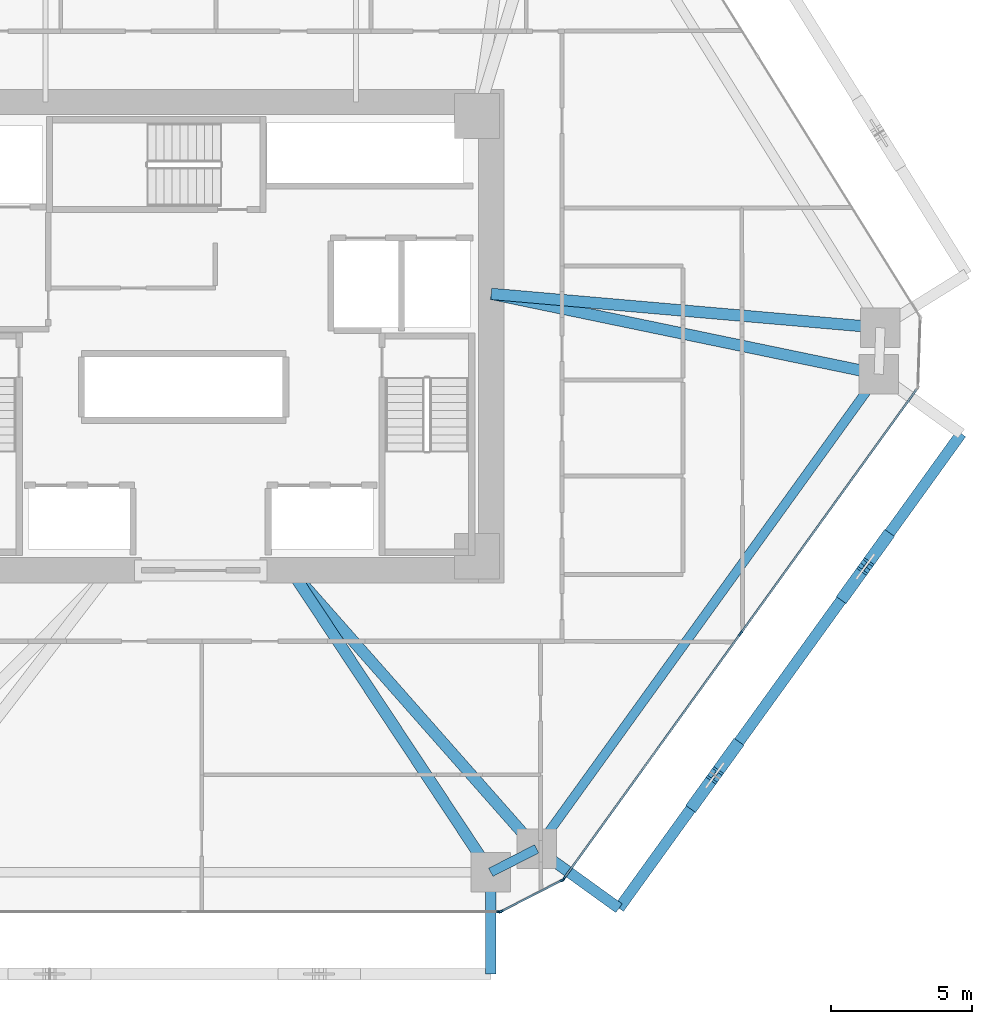
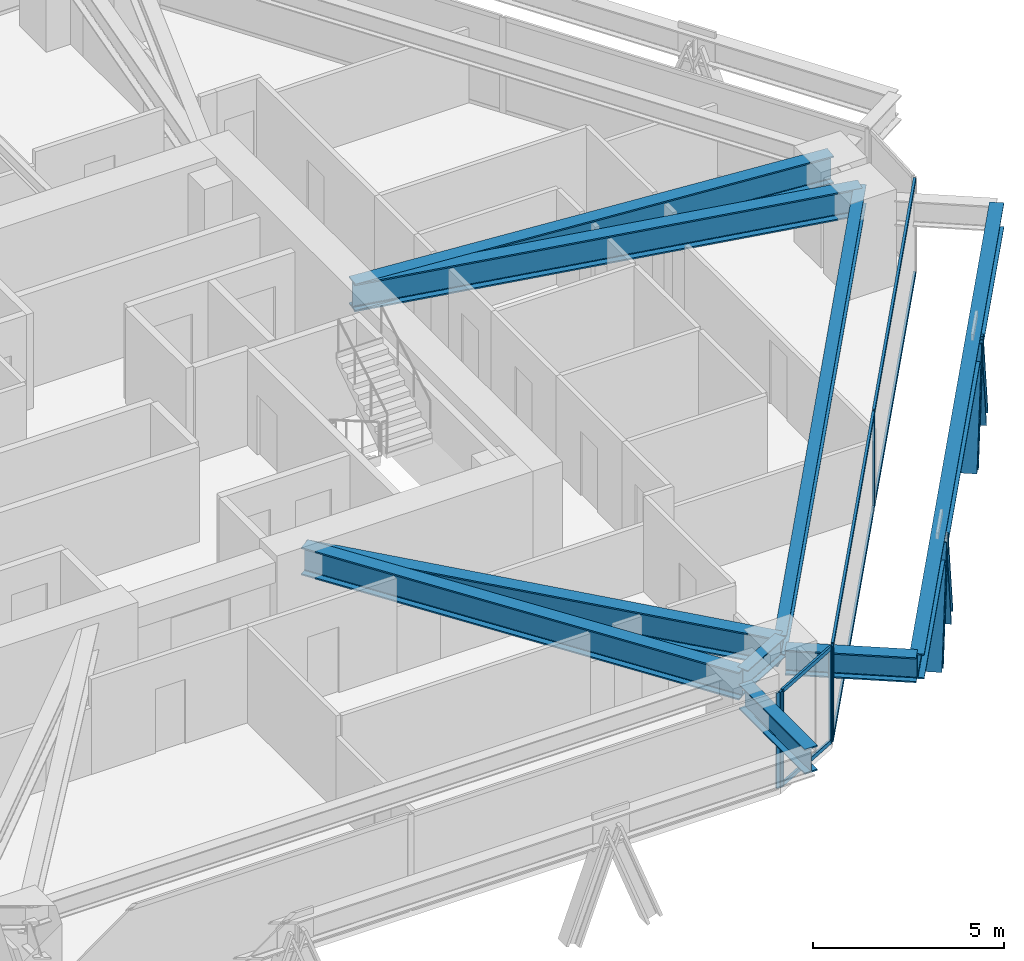
# One storey, part 5 of 17: 15 members, 9 beams, 3 elements without a shape of their own.
"""IFC4 building model written with IfcOpenShell, lengths in metres."""

from ifc_helpers import new_model, si_unit, direction, frame, origin, origin_2d, place, context, subcontext, project, spatial, rectangle, i_section, extrude, source, transform, mapped, material, layer, layer_set, material_profile, profile_set, type_object, type_shapes, element, aggregate, save


model = new_model("IFC4")

# Units and contexts
model_context = context("Model", 3, precision=1e-05, world=origin(), true_north=direction((0.0, 1.0)))
body_context = subcontext(model_context, "Body", "Model", "MODEL_VIEW")
ifc_project = project(units=[si_unit("LENGTHUNIT", "METRE"), si_unit("AREAUNIT", "SQUARE_METRE"), si_unit("VOLUMEUNIT", "CUBIC_METRE"), si_unit("PLANEANGLEUNIT", "RADIAN"), si_unit("MASSUNIT", "GRAM", prefix="KILO")], contexts=[model_context])

# Site, building, storey
site_placement = place(None, origin())
site = spatial("IfcSite", under=ifc_project, at=site_placement, CompositionType="ELEMENT")
building_placement = place(site_placement, origin())
building = spatial("IfcBuilding", under=site, at=building_placement, Name="Durnholm Broadcast Tower", CompositionType="ELEMENT")
storey_placement = place(building_placement, frame((0.0, 0.0, 72.0)))
storey = spatial("IfcBuildingStorey", under=building, at=storey_placement, Name="L18", CompositionType="ELEMENT", Elevation=72.0)

# Beams
ifc_material_1 = material(Name="Steel ASTM A992 Grade 50", Category="steel")
ifc_material_profile_1 = material_profile(ifc_material_1, i_section(OverallWidth=0.3291015625, OverallDepth=0.635009765625, WebThickness=0.017822265625, FlangeThickness=0.031005859375, FilletRadius=0.02783203125, at=origin_2d()), Name="W24X162")
ifc_profile_set_1 = profile_set([ifc_material_profile_1], Name="Steel ASTM A992 Grade 50")
beam_type_1 = type_object("IfcBeamType", Name="STL-SP-W24X162", PredefinedType="SPANDREL", material=ifc_profile_set_1)
shared_shape_1 = source(origin(), body_context, "Body", "SweptSolid", [
    extrude(i_section(OverallWidth=0.3291015625, OverallDepth=0.635009765625, WebThickness=0.017822265625, FlangeThickness=0.031005859375, FilletRadius=0.02783203125, at=origin_2d()), origin(), (0.0, 0.0, 1.0), 20.737060546875),
])
beam_1_placement = place(storey_placement, frame((24.034912109375, -1.347412109375, 2.7275390625), z_axis=(-0.584821933191, -0.811161701795, 0.0), x_axis=(0.811161701795, -0.584821933191, 0.0)))
element("IfcBeam", 1, at=beam_1_placement, inside=storey, type_object=beam_type_1, Name="L18 perimeter spandrel girder 09", PredefinedType="SPANDREL", context=body_context, shape_type="MappedRepresentation", body=[
    mapped(shared_shape_1, transform((0.0, 0.0, 0.0), x_axis=(1.0, 0.0, 0.0), y_axis=(0.0, 1.0, 0.0), z_axis=(0.0, 0.0, 1.0), scale=1.0)),
])
shared_shape_2 = source(origin(), body_context, "Body", "SweptSolid", [
    extrude(i_section(OverallWidth=0.3291015625, OverallDepth=0.635009765625, WebThickness=0.017822265625, FlangeThickness=0.031005859375, FilletRadius=0.02783203125, at=origin_2d()), origin(), (0.0, 0.0, 1.0), 1.8251953125),
])
type_shapes(beam_type_1, [shared_shape_1, shared_shape_2])
beam_2_placement = place(storey_placement, frame((11.907470703125, -18.16845703125, 2.7275390625), z_axis=(-0.890187609501, -0.455594139438, 0.0), x_axis=(0.455594139438, -0.890187609501, 0.0)))
element("IfcBeam", 2, at=beam_2_placement, inside=storey, type_object=beam_type_1, Name="L18 perimeter spandrel girder 10", PredefinedType="SPANDREL", context=body_context, shape_type="MappedRepresentation", body=[
    mapped(shared_shape_2, transform((0.0, 0.0, 0.0), x_axis=(1.0, 0.0, 0.0), y_axis=(0.0, 1.0, 0.0), z_axis=(0.0, 0.0, 1.0), scale=1.0)),
])
ifc_material_profile_2 = material_profile(ifc_material_1, i_section(OverallWidth=0.404052734375, OverallDepth=0.885009765625, WebThickness=0.0244140625, FlangeThickness=0.0439453125, FilletRadius=0.03564453125, at=origin_2d()), Name="W33X291")
ifc_profile_set_2 = profile_set([ifc_material_profile_2], Name="Steel ASTM A992 Grade 50")
beam_type_2 = type_object("IfcBeamType", Name="STL-GR-W33X291", PredefinedType="USERDEFINED", material=ifc_profile_set_2)
shared_shape_3 = source(origin(), body_context, "Body", "SweptSolid", [
    extrude(i_section(OverallWidth=0.404052734375, OverallDepth=0.885009765625, WebThickness=0.0244140625, FlangeThickness=0.0439453125, FilletRadius=0.03564453125, at=origin_2d()), origin(), (0.0, 0.0, 1.0), 13.843017578125),
])
beam_3_placement = place(storey_placement, frame((10.300048828125, 1.5, 2.6025390625), z_axis=(0.996234364864, -0.086701154915, 0.0), x_axis=(0.086701154915, 0.996234364864, 0.0)))
element("IfcBeam", 3, at=beam_3_placement, inside=storey, type_object=beam_type_2, Name="L18 radial primary floor girder 08", ObjectType="GIRDER", PredefinedType="USERDEFINED", context=body_context, shape_type="MappedRepresentation", body=[
    mapped(shared_shape_3, transform((0.0, 0.0, 0.0), x_axis=(1.0, 0.0, 0.0), y_axis=(0.0, 1.0, 0.0), z_axis=(0.0, 0.0, 1.0), scale=1.0)),
])
shared_shape_4 = source(origin(), body_context, "Body", "SweptSolid", [
    extrude(i_section(OverallWidth=0.404052734375, OverallDepth=0.885009765625, WebThickness=0.0244140625, FlangeThickness=0.0439453125, FilletRadius=0.03564453125, at=origin_2d()), origin(), (0.0, 0.0, 1.0), 14.02685546875),
])
beam_4_placement = place(storey_placement, frame((10.300048828125, 1.5, 2.6025390625), z_axis=(0.979179487914, -0.202996380382, 0.0), x_axis=(0.202996380382, 0.979179487914, 0.0)))
element("IfcBeam", 4, at=beam_4_placement, inside=storey, type_object=beam_type_2, Name="L18 radial primary floor girder 09", ObjectType="GIRDER", PredefinedType="USERDEFINED", context=body_context, shape_type="MappedRepresentation", body=[
    mapped(shared_shape_4, transform((0.0, 0.0, 0.0), x_axis=(1.0, 0.0, 0.0), y_axis=(0.0, 1.0, 0.0), z_axis=(0.0, 0.0, 1.0), scale=1.0)),
])
shared_shape_5 = source(origin(), body_context, "Body", "SweptSolid", [
    extrude(i_section(OverallWidth=0.404052734375, OverallDepth=0.885009765625, WebThickness=0.0244140625, FlangeThickness=0.0439453125, FilletRadius=0.03564453125, at=origin_2d()), origin(), (0.0, 0.0, 1.0), 13.160888671875),
])
beam_5_placement = place(storey_placement, frame((3.199951171875, -8.300048828125, 2.6025390625), z_axis=(0.661625931866, -0.749834065832, 0.0), x_axis=(0.749834065832, 0.661625931866, 0.0)))
element("IfcBeam", 5, at=beam_5_placement, inside=storey, type_object=beam_type_2, Name="L18 radial primary floor girder 10", ObjectType="GIRDER", PredefinedType="USERDEFINED", context=body_context, shape_type="MappedRepresentation", body=[
    mapped(shared_shape_5, transform((0.0, 0.0, 0.0), x_axis=(1.0, 0.0, 0.0), y_axis=(0.0, 1.0, 0.0), z_axis=(0.0, 0.0, 1.0), scale=1.0)),
])
shared_shape_6 = source(origin(), body_context, "Body", "SweptSolid", [
    extrude(i_section(OverallWidth=0.404052734375, OverallDepth=0.885009765625, WebThickness=0.0244140625, FlangeThickness=0.0439453125, FilletRadius=0.03564453125, at=origin_2d()), origin(), (0.0, 0.0, 1.0), 12.831787109375),
])
type_shapes(beam_type_2, [shared_shape_3, shared_shape_4, shared_shape_5, shared_shape_6])
beam_6_placement = place(storey_placement, frame((3.199951171875, -8.300048828125, 2.6025390625), z_axis=(0.551970609544, -0.833863565699, 0.0), x_axis=(0.833863565699, 0.551970609544, 0.0)))
element("IfcBeam", 6, at=beam_6_placement, inside=storey, type_object=beam_type_2, Name="L18 radial primary floor girder 11", ObjectType="GIRDER", PredefinedType="USERDEFINED", context=body_context, shape_type="MappedRepresentation", body=[
    mapped(shared_shape_6, transform((0.0, 0.0, 0.0), x_axis=(1.0, 0.0, 0.0), y_axis=(0.0, 1.0, 0.0), z_axis=(0.0, 0.0, 1.0), scale=1.0)),
])
ifc_material_profile_3 = material_profile(ifc_material_1, i_section(OverallWidth=0.385009765625, OverallDepth=0.802978515625, WebThickness=0.023681640625, FlangeThickness=0.0419921875, FilletRadius=0.032958984375, at=origin_2d()), Name="W30X261")
ifc_profile_set_3 = profile_set([ifc_material_profile_3], Name="Steel ASTM A992 Grade 50")
beam_type_3 = type_object("IfcBeamType", Name="BM-EXO-TIE", PredefinedType="USERDEFINED", material=ifc_profile_set_3)
shared_shape_7 = source(origin(), body_context, "Body", "SweptSolid", [
    extrude(i_section(OverallWidth=0.385009765625, OverallDepth=0.802978515625, WebThickness=0.023681640625, FlangeThickness=0.0419921875, FilletRadius=0.032958984375, at=origin_2d()), origin(), (0.0, 0.0, 1.0), 3.4560546875),
])
for number, where, z_axis, x_axis, name in (
    (7, (10.28271484375, -19.14404296875, 2.30859375), (0.0, -1.0, 0.0), (1.0, 0.0, 0.0), "L18 exoskeleton stand-off tie bracket F1.2"),
    (8, (12.024169921875, -18.252685546875, 2.30859375), (0.811157675106, -0.584827518262, 0.0), (0.584827518262, 0.811157675106, 0.0), "L18 exoskeleton stand-off tie bracket F2.1"),
):
    element("IfcBeam", number, at=place(storey_placement, frame(where, z_axis=z_axis, x_axis=x_axis)), inside=storey, type_object=beam_type_3, Name=name, ObjectType="GIRDER", PredefinedType="USERDEFINED", context=body_context, shape_type="MappedRepresentation", body=[
        mapped(shared_shape_7, transform((0.0, 0.0, 0.0), x_axis=(1.0, 0.0, 0.0), y_axis=(0.0, 1.0, 0.0), z_axis=(0.0, 0.0, 1.0), scale=1.0)),
    ])
shared_shape_8 = source(origin(), body_context, "Body", "SweptSolid", [
    extrude(i_section(OverallWidth=0.385009765625, OverallDepth=0.802978515625, WebThickness=0.023681640625, FlangeThickness=0.0419921875, FilletRadius=0.032958984375, at=origin_2d()), origin(), (0.0, 0.0, 1.0), 20.737060546875),
])
type_shapes(beam_type_3, [shared_shape_7, shared_shape_8])
beam_7_placement = place(storey_placement, frame((14.82763671875, -20.27392578125, 2.30859375), z_axis=(0.5848163482, 0.811165728368, 0.0), x_axis=(-0.811165728368, 0.5848163482, 0.0)))
element("IfcBeam", 9, at=beam_7_placement, inside=storey, type_object=beam_type_3, Name="L18 exoskeleton collector spandrel F2", PredefinedType="SPANDREL", context=body_context, shape_type="MappedRepresentation", body=[
    mapped(shared_shape_8, transform((0.0, 0.0, 0.0), x_axis=(1.0, 0.0, 0.0), y_axis=(0.0, 1.0, 0.0), z_axis=(0.0, 0.0, 1.0), scale=1.0)),
])

# Members
ifc_material_2 = material(Name="Steel ASTM A913 Grade 65", Category="steel")
ifc_material_profile_4 = material_profile(ifc_material_2, i_section(OverallWidth=0.43212890625, OverallDepth=0.497802734375, WebThickness=0.0556640625, FlangeThickness=0.0888671875, FilletRadius=0.030517578125, at=origin_2d()), Name="W14X500")
ifc_profile_set_4 = profile_set([ifc_material_profile_4], Name="Steel ASTM A913 Grade 65")
member_type_1 = type_object("IfcMemberType", Name="STL-DG-W14X500", PredefinedType="BRACE", material=ifc_profile_set_4)
shared_shape_9 = source(origin(), body_context, "Body", "SweptSolid", [
    extrude(i_section(OverallWidth=0.43212890625, OverallDepth=0.497802734375, WebThickness=0.0556640625, FlangeThickness=0.0888671875, FilletRadius=0.030517578125, at=origin_2d()), origin(), (0.0, 0.0, 1.0), 3.523193359375),
])
type_shapes(member_type_1, [shared_shape_9])
for number, where, z_axis, x_axis, name in (
    (10, (17.501708984375, -16.564697265625, -0.991455078125), (0.204839138341, 0.284044529113, 0.93667477434), (-0.81109123444, 0.58491966065, 0.0), "L18 stand-off diagrid brace F2.D1.1"),
    (11, (18.94482421875, -14.563232421875, -0.991455078125), (-0.20477274847, -0.284048560399, 0.936688068046), (0.811185111535, -0.584789461963, 0.0), "L18 stand-off diagrid brace F2.D1.2"),
    (12, (22.837890625, -9.163330078125, -0.991455078125), (0.204839138341, 0.284044529113, 0.93667477434), (-0.81109123444, 0.58491966065, 0.0), "L18 stand-off diagrid brace F2.D2.1"),
    (13, (24.281005859375, -7.161865234375, -0.991455078125), (-0.20477274847, -0.284048560399, 0.936688068046), (0.811185111535, -0.584789461963, 0.0), "L18 stand-off diagrid brace F2.D2.2"),
):
    element("IfcMember", number, at=place(storey_placement, frame(where, z_axis=z_axis, x_axis=x_axis)), inside=storey, type_object=member_type_1, Name=name, PredefinedType="BRACE", context=body_context, shape_type="MappedRepresentation", body=[
        mapped(shared_shape_9, transform((0.0, 0.0, 0.0), x_axis=(1.0, 0.0, 0.0), y_axis=(0.0, 1.0, 0.0), z_axis=(0.0, 0.0, 1.0), scale=1.0)),
    ])

# Curtain wall, members
ifc_material_3 = material(Name="Aluminium and Solar Control IGU", Category="aluminium")
ifc_layer_1 = layer(ifc_material_3, 0.1650390625)
ifc_layer_set_1 = layer_set([ifc_layer_1], Name="Aluminium and Solar Control IGU")
curtain_wall_type_1 = type_object("IfcCurtainWallType", Name="CW-SYS-5", PredefinedType="NOTDEFINED", material=ifc_layer_set_1)
curtain_wall_1_placement = place(storey_placement, origin())
curtain_wall_1 = element("IfcCurtainWall", 14, at=curtain_wall_1_placement, inside=storey, type_object=curtain_wall_type_1, Name="L18 curtain wall CW-CORNER CW-L18-CRN-09", PredefinedType="NOTDEFINED")
ifc_material_4 = material(Name="Aluminium 6063-T6", Category="aluminium")
ifc_material_profile_5 = material_profile(ifc_material_4, rectangle(XDim=0.06494140625, YDim=0.1650390625, at=origin_2d()), Name="CWM65X165")
ifc_profile_set_5 = profile_set([ifc_material_profile_5], Name="Aluminium 6063-T6")
member_type_2 = type_object("IfcMemberType", Name="CW-SYS-5-MUL", PredefinedType="MULLION", material=ifc_profile_set_5)
shared_shape_10 = source(origin(), body_context, "Body", "SweptSolid", [
    extrude(rectangle(XDim=0.06494140625, YDim=0.1650390625, at=origin_2d()), origin(), (0.0, 0.0, 1.0), 3.06005859375),
])
type_shapes(member_type_2, [shared_shape_10])
member_1_placement = place(storey_placement, frame((12.816650390625, -19.27587890625, 0.0), z_axis=(0.0, 0.0, 1.0), x_axis=(0.455593758406, -0.890187804512, 0.0)))
member_1 = element("IfcMember", 15, at=member_1_placement, type_object=member_type_2, Name="CW-CORNER mullion 1", PredefinedType="MULLION", context=body_context, shape_type="MappedRepresentation", body=[
    mapped(shared_shape_10, transform((0.0, 0.0, 0.0), x_axis=(1.0, 0.0, 0.0), y_axis=(0.0, 1.0, 0.0), z_axis=(0.0, 0.0, 1.0), scale=1.0)),
])
member_2_placement = place(storey_placement, frame((10.649169921875, -20.38525390625, 0.0), z_axis=(0.0, 0.0, 1.0), x_axis=(0.455593758406, -0.890187804512, 0.0)))
member_2 = element("IfcMember", 16, at=member_2_placement, type_object=member_type_2, Name="CW-CORNER mullion 2", PredefinedType="MULLION", context=body_context, shape_type="MappedRepresentation", body=[
    mapped(shared_shape_10, transform((0.0, 0.0, 0.0), x_axis=(1.0, 0.0, 0.0), y_axis=(0.0, 1.0, 0.0), z_axis=(0.0, 0.0, 1.0), scale=1.0)),
])
ifc_material_profile_6 = material_profile(ifc_material_4, rectangle(XDim=0.06494140625, YDim=0.1298828125, at=origin_2d()), Name="CWT65X130")
ifc_profile_set_6 = profile_set([ifc_material_profile_6], Name="Aluminium 6063-T6")
member_type_3 = type_object("IfcMemberType", Name="CW-SYS-5-TRN", PredefinedType="USERDEFINED", material=ifc_profile_set_6)
shared_shape_11 = source(origin(), body_context, "Body", "SweptSolid", [
    extrude(rectangle(XDim=0.06494140625, YDim=0.1298828125, at=origin_2d()), origin(), (0.0, 0.0, 1.0), 2.3701171875),
])
type_shapes(member_type_3, [shared_shape_11])
member_3_placement = place(storey_placement, frame((12.787841796875, -19.29052734375, 0.032470703125), z_axis=(-0.890185016934, -0.455599205033, 0.0), x_axis=(0.455599205033, -0.890185016934, 0.0)))
member_3 = element("IfcMember", 17, at=member_3_placement, type_object=member_type_3, Name="CW-CORNER transom 1.1", ObjectType="TRANSOM", PredefinedType="USERDEFINED", context=body_context, shape_type="MappedRepresentation", body=[
    mapped(shared_shape_11, transform((0.0, 0.0, 0.0), x_axis=(1.0, 0.0, 0.0), y_axis=(0.0, 1.0, 0.0), z_axis=(0.0, 0.0, 1.0), scale=1.0)),
])
member_4_placement = place(storey_placement, frame((12.787841796875, -19.29052734375, 3.027587890625), z_axis=(-0.890185016934, -0.455599205033, 0.0), x_axis=(0.455599205033, -0.890185016934, 0.0)))
member_4 = element("IfcMember", 18, at=member_4_placement, type_object=member_type_3, Name="CW-CORNER transom 1.2", ObjectType="TRANSOM", PredefinedType="USERDEFINED", context=body_context, shape_type="MappedRepresentation", body=[
    mapped(shared_shape_11, transform((0.0, 0.0, 0.0), x_axis=(1.0, 0.0, 0.0), y_axis=(0.0, 1.0, 0.0), z_axis=(0.0, 0.0, 1.0), scale=1.0)),
])
aggregate(curtain_wall_1, [member_1, member_2, member_3, member_4])

ifc_layer_2 = layer(ifc_material_3, 0.18994140625)
ifc_layer_set_2 = layer_set([ifc_layer_2], Name="Aluminium and Solar Control IGU")
curtain_wall_type_2 = type_object("IfcCurtainWallType", Name="CW-SYS-3", PredefinedType="NOTDEFINED", material=ifc_layer_set_2)
curtain_wall_2_placement = place(storey_placement, origin())
curtain_wall_2 = element("IfcCurtainWall", 19, at=curtain_wall_2_placement, inside=storey, type_object=curtain_wall_type_2, Name="L18 curtain wall CW-Z12-VIS CW-L18-F08", PredefinedType="NOTDEFINED")
ifc_material_profile_7 = material_profile(ifc_material_4, rectangle(XDim=0.070068359375, YDim=0.18994140625, at=origin_2d()), Name="CWM70X190")
ifc_profile_set_7 = profile_set([ifc_material_profile_7], Name="Aluminium 6063-T6")
member_type_4 = type_object("IfcMemberType", Name="CW-SYS-3-MUL", PredefinedType="MULLION", material=ifc_profile_set_7)
shared_shape_12 = source(origin(), body_context, "Body", "SweptSolid", [
    extrude(rectangle(XDim=0.070068359375, YDim=0.18994140625, at=origin_2d()), origin(), (0.0, 0.0, 1.0), 3.06005859375),
])
type_shapes(member_type_4, [shared_shape_12])
member_5_placement = place(storey_placement, frame((19.1328125, -10.540771484375, 0.0), z_axis=(0.0, 0.0, 1.0), x_axis=(0.81116057493, -0.584823496176, 0.0)))
member_5 = element("IfcMember", 20, at=member_5_placement, type_object=member_type_4, Name="CW-Z12-VIS mullion 2", PredefinedType="MULLION", context=body_context, shape_type="MappedRepresentation", body=[
    mapped(shared_shape_12, transform((0.0, 0.0, 0.0), x_axis=(1.0, 0.0, 0.0), y_axis=(0.0, 1.0, 0.0), z_axis=(0.0, 0.0, 1.0), scale=1.0)),
])
member_6_placement = place(storey_placement, frame((12.8662109375, -19.232666015625, 0.0), z_axis=(0.0, 0.0, 1.0), x_axis=(0.81116057493, -0.584823496176, 0.0)))
member_6 = element("IfcMember", 21, at=member_6_placement, type_object=member_type_4, Name="CW-Z12-VIS mullion 3", PredefinedType="MULLION", context=body_context, shape_type="MappedRepresentation", body=[
    mapped(shared_shape_12, transform((0.0, 0.0, 0.0), x_axis=(1.0, 0.0, 0.0), y_axis=(0.0, 1.0, 0.0), z_axis=(0.0, 0.0, 1.0), scale=1.0)),
])

# Curtain wall, member
curtain_wall_3_placement = place(storey_placement, origin())
curtain_wall_3 = element("IfcCurtainWall", 22, at=curtain_wall_3_placement, inside=storey, type_object=curtain_wall_type_2, Name="L18 curtain wall CW-Z12-VIS CW-L18-F10", PredefinedType="NOTDEFINED")
member_7_placement = place(storey_placement, frame((10.585205078125, -20.39990234375, 0.0), z_axis=(0.0, 0.0, 1.0), x_axis=(0.0, -1.0, 0.0)))
member_7 = element("IfcMember", 23, at=member_7_placement, type_object=member_type_4, Name="CW-Z12-VIS mullion 1", PredefinedType="MULLION", context=body_context, shape_type="MappedRepresentation", body=[
    mapped(shared_shape_12, transform((0.0, 0.0, 0.0), x_axis=(1.0, 0.0, 0.0), y_axis=(0.0, 1.0, 0.0), z_axis=(0.0, 0.0, 1.0), scale=1.0)),
])
aggregate(curtain_wall_3, [member_7])

# Member
ifc_material_profile_8 = material_profile(ifc_material_4, rectangle(XDim=0.070068359375, YDim=0.14990234375, at=origin_2d()), Name="CWT70X150")
ifc_profile_set_8 = profile_set([ifc_material_profile_8], Name="Aluminium 6063-T6")
member_type_5 = type_object("IfcMemberType", Name="CW-SYS-3-TRN", PredefinedType="USERDEFINED", material=ifc_profile_set_8)
shared_shape_13 = source(origin(), body_context, "Body", "SweptSolid", [
    extrude(rectangle(XDim=0.070068359375, YDim=0.14990234375, at=origin_2d()), origin(), (0.0, 0.0, 1.0), 10.6455078125),
])
member_8_placement = place(storey_placement, frame((25.37890625, -1.877197265625, 0.034912109375), z_axis=(-0.584812103659, -0.811168788486, 0.0), x_axis=(0.811168788486, -0.584812103659, 0.0)))
member_8 = element("IfcMember", 24, at=member_8_placement, type_object=member_type_5, Name="CW-Z12-VIS transom 1.1", ObjectType="TRANSOM", PredefinedType="USERDEFINED", context=body_context, shape_type="MappedRepresentation", body=[
    mapped(shared_shape_13, transform((0.0, 0.0, 0.0), x_axis=(1.0, 0.0, 0.0), y_axis=(0.0, 1.0, 0.0), z_axis=(0.0, 0.0, 1.0), scale=1.0)),
])

member_9_placement = place(storey_placement, frame((25.37890625, -1.877197265625, 3.02490234375), z_axis=(-0.584812103659, -0.811168788486, 0.0), x_axis=(0.811168788486, -0.584812103659, 0.0)))
member_9 = element("IfcMember", 25, at=member_9_placement, type_object=member_type_5, Name="CW-Z12-VIS transom 1.2", ObjectType="TRANSOM", PredefinedType="USERDEFINED", context=body_context, shape_type="MappedRepresentation", body=[
    mapped(shared_shape_13, transform((0.0, 0.0, 0.0), x_axis=(1.0, 0.0, 0.0), y_axis=(0.0, 1.0, 0.0), z_axis=(0.0, 0.0, 1.0), scale=1.0)),
])

shared_shape_14 = source(origin(), body_context, "Body", "SweptSolid", [
    extrude(rectangle(XDim=0.070068359375, YDim=0.14990234375, at=origin_2d()), origin(), (0.0, 0.0, 1.0), 10.645263671875),
])
type_shapes(member_type_5, [shared_shape_13, shared_shape_14])
member_10_placement = place(storey_placement, frame((19.1123046875, -10.569091796875, 0.034912109375), z_axis=(-0.584822983179, -0.811160944786, 0.0), x_axis=(0.811160944786, -0.584822983179, 0.0)))
member_10 = element("IfcMember", 26, at=member_10_placement, type_object=member_type_5, Name="CW-Z12-VIS transom 2.1", ObjectType="TRANSOM", PredefinedType="USERDEFINED", context=body_context, shape_type="MappedRepresentation", body=[
    mapped(shared_shape_14, transform((0.0, 0.0, 0.0), x_axis=(1.0, 0.0, 0.0), y_axis=(0.0, 1.0, 0.0), z_axis=(0.0, 0.0, 1.0), scale=1.0)),
])

member_11_placement = place(storey_placement, frame((19.1123046875, -10.569091796875, 3.02490234375), z_axis=(-0.584822983179, -0.811160944786, 0.0), x_axis=(0.811160944786, -0.584822983179, 0.0)))
member_11 = element("IfcMember", 27, at=member_11_placement, type_object=member_type_5, Name="CW-Z12-VIS transom 2.2", ObjectType="TRANSOM", PredefinedType="USERDEFINED", context=body_context, shape_type="MappedRepresentation", body=[
    mapped(shared_shape_14, transform((0.0, 0.0, 0.0), x_axis=(1.0, 0.0, 0.0), y_axis=(0.0, 1.0, 0.0), z_axis=(0.0, 0.0, 1.0), scale=1.0)),
])

aggregate(curtain_wall_2, [member_5, member_6, member_8, member_9, member_10, member_11])

save(model, "model.ifc")
